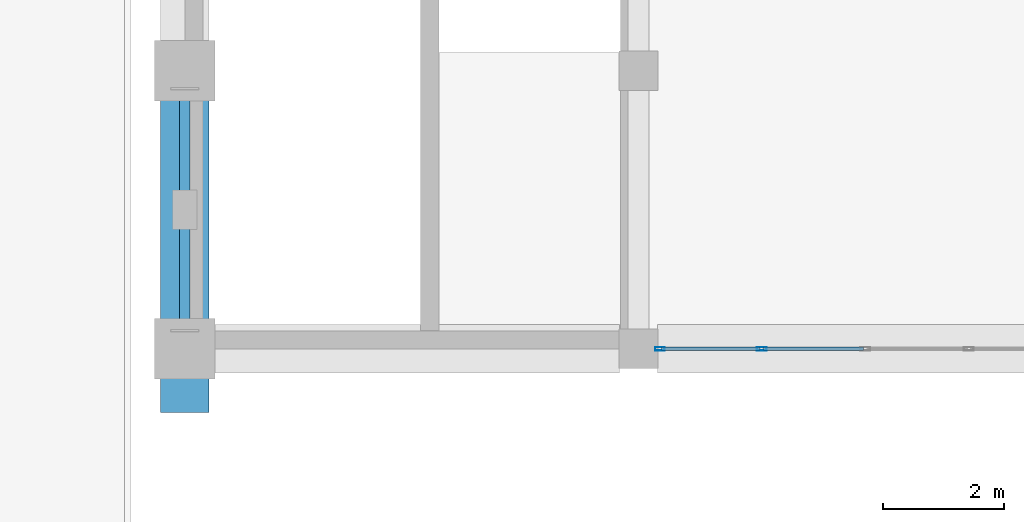
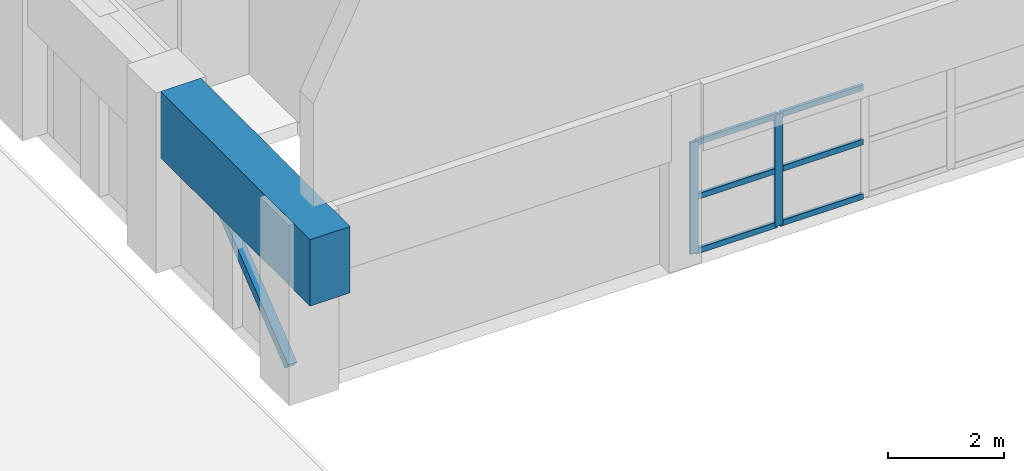
# One storey, part 2 of 74: 9 members, 1 beam, 1 element without a shape of its own.
"""IFC4 building model written with IfcOpenShell, lengths in metres."""

from ifc_helpers import new_model, si_unit, direction, frame, origin, origin_2d, place, context, subcontext, project, spatial, rectangle, hollow_rectangle, extrude, material, layer, layer_set, material_profile, profile_set, type_object, element, aggregate, save


model = new_model("IFC4")

# Units and contexts
model_context = context("Model", 3, precision=1e-05, world=origin(), true_north=direction((0.0, 1.0)))
body_context = subcontext(model_context, "Body", "Model", "MODEL_VIEW")
ifc_project = project(units=[si_unit("LENGTHUNIT", "METRE"), si_unit("AREAUNIT", "SQUARE_METRE"), si_unit("VOLUMEUNIT", "CUBIC_METRE"), si_unit("PLANEANGLEUNIT", "RADIAN"), si_unit("MASSUNIT", "GRAM", prefix="KILO")], contexts=[model_context])

# Site, building, storey
site_placement = place(None, origin())
site = spatial("IfcSite", under=ifc_project, at=site_placement, CompositionType="ELEMENT")
building_placement = place(site_placement, origin())
building = spatial("IfcBuilding", under=site, at=building_placement, Name="Muzn Square Opera House", CompositionType="ELEMENT")
storey_placement = place(building_placement, frame((0.0, 0.0, 14.199951171875)))
storey = spatial("IfcBuildingStorey", under=building, at=storey_placement, Name="L03", CompositionType="ELEMENT", Elevation=14.199951171875)

# Curtain wall, members
ifc_material_1 = material(Name="Low-E laminated acoustic double glazing", Category="glass")
ifc_layer = layer(ifc_material_1, 0.159912109375, Name="Low-E laminated acoustic double glazing", Category="glass")
ifc_layer_set = layer_set([ifc_layer], Name="Low-E laminated acoustic double glazing")
curtain_wall_type = type_object("IfcCurtainWallType", Name="Glazed Curtain Wall Forecourt 6850x2350", PredefinedType="USERDEFINED", material=ifc_layer_set)
curtain_wall_placement = place(storey_placement, origin())
curtain_wall = element("IfcCurtainWall", 1, at=curtain_wall_placement, inside=storey, type_object=curtain_wall_type, Name="Glazed Curtain Wall CW-L03-019", ObjectType="GLAZED CURTAIN WALL", PredefinedType="USERDEFINED")
ifc_material_2 = material(Name="Anodised bronze aluminium 6063-T6", Category="metal")
ifc_material_profile_1 = material_profile(ifc_material_2, hollow_rectangle(XDim=0.06005859375, YDim=0.159912109375, WallThickness=0.00390625, at=origin_2d()), Name="ALU 160x60x4", Category="metal")
ifc_profile_set_1 = profile_set([ifc_material_profile_1], Name="Anodised bronze aluminium 6063-T6")
member_type_1 = type_object("IfcMemberType", Name="Curtain Wall Mullion 160x60", PredefinedType="MULLION", material=ifc_profile_set_1)
member_1_placement = place(storey_placement, frame((50.85498046875, 22.0, 0.0), z_axis=(0.0, 0.0, 1.0), x_axis=(0.0, 1.0, 0.0)))
member_1 = element("IfcMember", 2, at=member_1_placement, type_object=member_type_1, Name="CW-FC-68x23 mullion 1", PredefinedType="MULLION", context=body_context, shape_type="SweptSolid", body=[
    extrude(hollow_rectangle(XDim=0.06005859375, YDim=0.159912109375, WallThickness=0.00390625, at=origin_2d()), origin(), (0.0, 0.0, 1.0), 2.35009765625),
])
member_2_placement = place(storey_placement, frame((52.53759765625, 22.0, 0.0), z_axis=(0.0, 0.0, 1.0), x_axis=(0.0, 1.0, 0.0)))
member_2 = element("IfcMember", 3, at=member_2_placement, type_object=member_type_1, Name="CW-FC-68x23 mullion 2", PredefinedType="MULLION", context=body_context, shape_type="SweptSolid", body=[
    extrude(hollow_rectangle(XDim=0.06005859375, YDim=0.159912109375, WallThickness=0.00390625, at=origin_2d()), origin(), (0.0, 0.0, 1.0), 2.35009765625),
])
ifc_material_profile_2 = material_profile(ifc_material_2, hollow_rectangle(XDim=0.06005859375, YDim=0.1201171875, WallThickness=0.00390625, at=origin_2d()), Name="ALU 120x60x4", Category="metal")
ifc_profile_set_2 = profile_set([ifc_material_profile_2], Name="Anodised bronze aluminium 6063-T6")
member_type_2 = type_object("IfcMemberType", Name="Curtain Wall Transom 120x60", PredefinedType="USERDEFINED", material=ifc_profile_set_2)
member_3_placement = place(storey_placement, frame((50.885009765625, 22.0, 0.030029296875), z_axis=(1.0, 0.0, 0.0), x_axis=(0.0, 1.0, 0.0)))
member_3 = element("IfcMember", 4, at=member_3_placement, type_object=member_type_2, Name="CW-FC-68x23 transom 1.1", ObjectType="TRANSOM", PredefinedType="USERDEFINED", context=body_context, shape_type="SweptSolid", body=[
    extrude(hollow_rectangle(XDim=0.06005859375, YDim=0.1201171875, WallThickness=0.00390625, at=origin_2d()), origin(), (0.0, 0.0, 1.0), 1.62255859375),
])
member_4_placement = place(storey_placement, frame((50.885009765625, 22.0, 1.175048828125), z_axis=(1.0, 0.0, 0.0), x_axis=(0.0, 1.0, 0.0)))
member_4 = element("IfcMember", 5, at=member_4_placement, type_object=member_type_2, Name="CW-FC-68x23 transom 1.2", ObjectType="TRANSOM", PredefinedType="USERDEFINED", context=body_context, shape_type="SweptSolid", body=[
    extrude(hollow_rectangle(XDim=0.06005859375, YDim=0.1201171875, WallThickness=0.00390625, at=origin_2d()), origin(), (0.0, 0.0, 1.0), 1.62255859375),
])
member_5_placement = place(storey_placement, frame((50.885009765625, 22.0, 2.320068359375), z_axis=(1.0, 0.0, 0.0), x_axis=(0.0, 1.0, 0.0)))
member_5 = element("IfcMember", 6, at=member_5_placement, type_object=member_type_2, Name="CW-FC-68x23 transom 1.3", ObjectType="TRANSOM", PredefinedType="USERDEFINED", context=body_context, shape_type="SweptSolid", body=[
    extrude(hollow_rectangle(XDim=0.06005859375, YDim=0.1201171875, WallThickness=0.00390625, at=origin_2d()), origin(), (0.0, 0.0, 1.0), 1.62255859375),
])
member_6_placement = place(storey_placement, frame((52.5673828125, 22.0, 0.030029296875), z_axis=(1.0, 0.0, 0.0), x_axis=(0.0, 1.0, 0.0)))
member_6 = element("IfcMember", 7, at=member_6_placement, type_object=member_type_2, Name="CW-FC-68x23 transom 2.1", ObjectType="TRANSOM", PredefinedType="USERDEFINED", context=body_context, shape_type="SweptSolid", body=[
    extrude(hollow_rectangle(XDim=0.06005859375, YDim=0.1201171875, WallThickness=0.00390625, at=origin_2d()), origin(), (0.0, 0.0, 1.0), 1.652587890625),
])
member_7_placement = place(storey_placement, frame((52.5673828125, 22.0, 1.175048828125), z_axis=(1.0, 0.0, 0.0), x_axis=(0.0, 1.0, 0.0)))
member_7 = element("IfcMember", 8, at=member_7_placement, type_object=member_type_2, Name="CW-FC-68x23 transom 2.2", ObjectType="TRANSOM", PredefinedType="USERDEFINED", context=body_context, shape_type="SweptSolid", body=[
    extrude(hollow_rectangle(XDim=0.06005859375, YDim=0.1201171875, WallThickness=0.00390625, at=origin_2d()), origin(), (0.0, 0.0, 1.0), 1.652587890625),
])
member_8_placement = place(storey_placement, frame((52.5673828125, 22.0, 2.320068359375), z_axis=(1.0, 0.0, 0.0), x_axis=(0.0, 1.0, 0.0)))
member_8 = element("IfcMember", 9, at=member_8_placement, type_object=member_type_2, Name="CW-FC-68x23 transom 2.3", ObjectType="TRANSOM", PredefinedType="USERDEFINED", context=body_context, shape_type="SweptSolid", body=[
    extrude(hollow_rectangle(XDim=0.06005859375, YDim=0.1201171875, WallThickness=0.00390625, at=origin_2d()), origin(), (0.0, 0.0, 1.0), 1.652587890625),
])
aggregate(curtain_wall, [member_1, member_2, member_3, member_4, member_5, member_6, member_7, member_8])

# Member
ifc_material_3 = material(Name="Steel S355", Category="steel")
ifc_material_profile_3 = material_profile(ifc_material_3, hollow_rectangle(XDim=0.179931640625, YDim=0.179931640625, WallThickness=0.010009765625, at=origin_2d()), Name="SHS 180x180x10", Category="steel")
ifc_profile_set_3 = profile_set([ifc_material_profile_3], Name="Steel S355")
member_type_3 = type_object("IfcMemberType", Name="Truss Web Brace SHS180", PredefinedType="BRACE", material=ifc_profile_set_3)
member_9_placement = place(storey_placement, frame((43.0, 22.300048828125, 0.199951171875), z_axis=(0.0, 0.78085021034, 0.624718295724), x_axis=(-1.0, 0.0, 0.0)))
element("IfcMember", 10, at=member_9_placement, inside=storey, type_object=member_type_3, Name="Lateral Frame Brace SBRC-11", PredefinedType="BRACE", context=body_context, shape_type="SweptSolid", body=[
    extrude(hollow_rectangle(XDim=0.179931640625, YDim=0.179931640625, WallThickness=0.010009765625, at=origin_2d()), origin(), (0.0, 0.0, 1.0), 5.12255859375),
])

# Beam
ifc_material_4 = material(Name="Concrete C45/55", Category="concrete")
ifc_material_profile_4 = material_profile(ifc_material_4, rectangle(XDim=0.800048828125, YDim=1.39990234375, at=origin_2d()), Name="RCB 800x1400", Category="concrete")
ifc_profile_set_4 = profile_set([ifc_material_profile_4], Name="Concrete C45/55")
beam_type = type_object("IfcBeamType", Name="Vault Springing Girder 800x1400", PredefinedType="BEAM", material=ifc_profile_set_4)
beam_placement = place(storey_placement, frame((43.0, 20.949951171875, 3.10009765625), z_axis=(0.0, 1.0, 0.0), x_axis=(-1.0, 0.0, 0.0)))
element("IfcBeam", 11, at=beam_placement, inside=storey, type_object=beam_type, Name="Vault Springing Girder BM-L03-BM-VS1400-430_210_430_261-2541", PredefinedType="BEAM", context=body_context, shape_type="SweptSolid", body=[
    extrude(rectangle(XDim=0.800048828125, YDim=1.39990234375, at=origin_2d()), origin(), (0.0, 0.0, 1.0), 5.157958984375),
])

save(model, "model.ifc")
